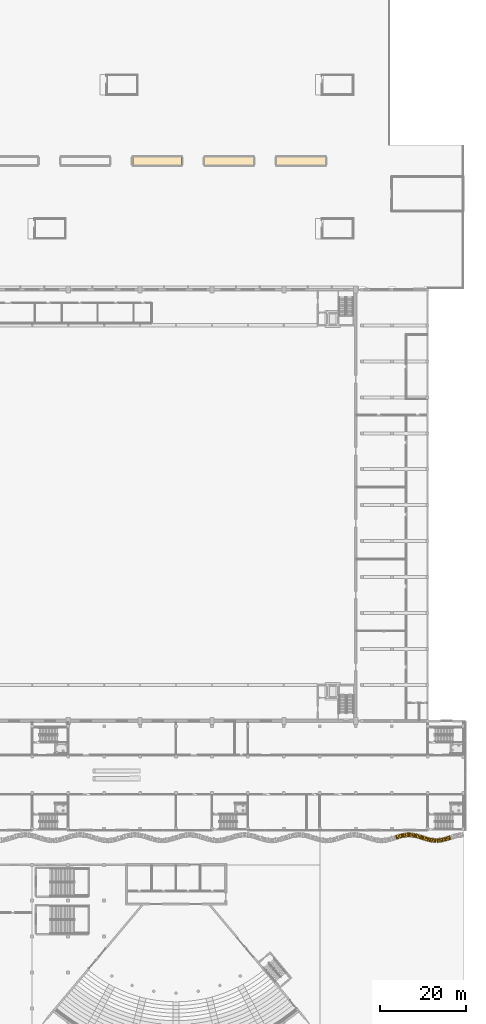
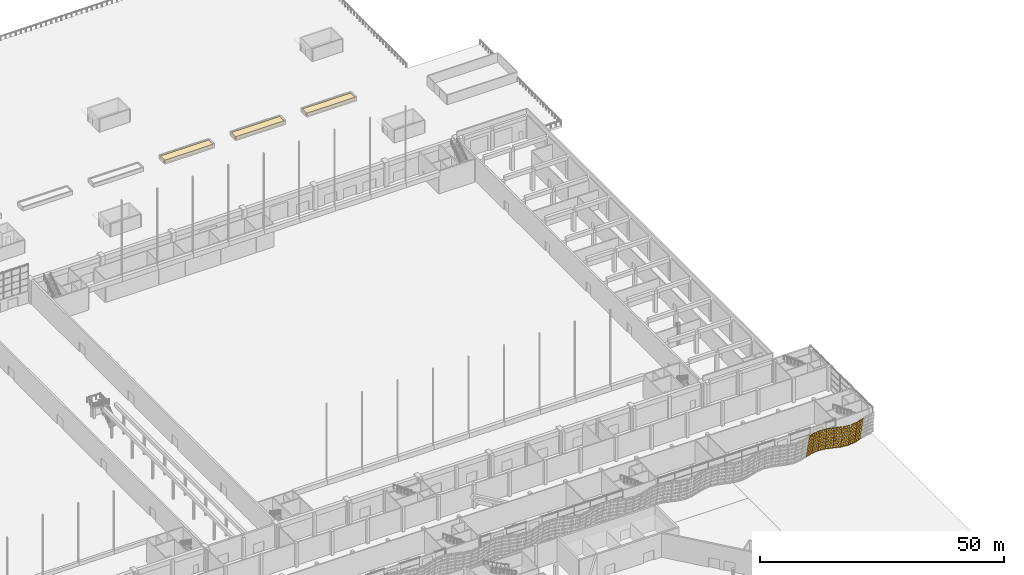
# One storey, part 206 of 210: 11 coverings.
"""IFC4 building model written with IfcOpenShell, lengths in metres."""

from ifc_helpers import new_model, si_unit, direction, frame, origin, origin_2d, place, context, subcontext, project, spatial, polyline, rectangle, outline, extrude, material, layer, layer_set, type_object, element, save


model = new_model("IFC4")

# Units and contexts
model_context = context("Model", 3, precision=1e-05, world=origin(), true_north=direction((0.0, 1.0)))
body_context = subcontext(model_context, "Body", "Model", "MODEL_VIEW")
ifc_project = project(units=[si_unit("LENGTHUNIT", "METRE"), si_unit("AREAUNIT", "SQUARE_METRE"), si_unit("VOLUMEUNIT", "CUBIC_METRE"), si_unit("PLANEANGLEUNIT", "RADIAN"), si_unit("MASSUNIT", "GRAM", prefix="KILO")], contexts=[model_context])

# Site, building, storey
site_placement = place(None, origin())
site = spatial("IfcSite", under=ifc_project, at=site_placement, CompositionType="ELEMENT")
building_placement = place(site_placement, origin())
building = spatial("IfcBuilding", under=site, at=building_placement, Name="Rain Tree Exposition and Congress Centre", CompositionType="ELEMENT")
storey_placement = place(building_placement, origin())
storey = spatial("IfcBuildingStorey", under=building, at=storey_placement, Name="L00", CompositionType="ELEMENT", Elevation=0.0)

# Coverings
ifc_material_1 = material(Name="Planting substrate", Category="soil")
ifc_layer_1 = layer(ifc_material_1, 0.75)
ifc_layer_set_1 = layer_set([ifc_layer_1], Name="Planting substrate")
covering_type_1 = type_object("IfcCoveringType", Name="Planting bed substrate 750", PredefinedType="FLOORING", material=ifc_layer_set_1)
for number, where, z_axis, x_axis, name in (
    (1, (197.199951171875, 231.60009765625, 0.0), (0.0, 0.0, 1.0), (1.0, 0.0, 0.0), "Planting bed"),
    (2, (214.0, 231.60009765625, 0.0), (0.0, 0.0, 1.0), (1.0, 0.0, 0.0), "Planting bed"),
    (3, (230.800048828125, 231.60009765625, 0.0), (0.0, 0.0, 1.0), (1.0, 0.0, 0.0), "Planting bed"),
):
    element("IfcCovering", number, at=place(storey_placement, frame(where, z_axis=z_axis, x_axis=x_axis)), inside=storey, type_object=covering_type_1, Name=name, PredefinedType="FLOORING", context=body_context, shape_type="SweptSolid", body=[
        extrude(rectangle(XDim=11.39990234375, YDim=1.800048828125, at=origin_2d()), origin(), (0.0, 0.0, 1.0), 0.75),
    ])
ifc_material_2 = material(Name="Perforated terracotta", Category="masonry")
ifc_layer_2 = layer(ifc_material_2, 0.080078125)
ifc_layer_set_2 = layer_set([ifc_layer_2], Name="Perforated terracotta")
covering_type_2 = type_object("IfcCoveringType", Name="Terracotta screen 80", PredefinedType="CLADDING", material=ifc_layer_set_2)
covering_1_placement = place(storey_placement, frame((252.800048828125, 73.949951171875, 0.0), z_axis=(-0.293072736571, 0.943327870838, 0.155694891303), x_axis=(-0.954973588716, -0.296690823679, 0.0)))
element("IfcCovering", 4, at=covering_1_placement, inside=storey, type_object=covering_type_2, Name="concourse/screen/L00/159", PredefinedType="CLADDING", context=body_context, shape_type="SweptSolid", body=[
    extrude(outline(polyline([(-0.014892578125, 0.0), (-1.659912109375, 0.0), (-1.659912109375, 5.80859375), (-0.014892578125, 5.80859375), (-0.014892578125, 0.0)]), holes=[polyline([(-0.119140625, 0.249755859375), (-0.119140625, 0.71826171875), (-0.458984375, 0.71826171875), (-0.458984375, 0.249755859375), (-0.119140625, 0.249755859375)]), polyline([(-0.119140625, 1.218017578125), (-0.119140625, 1.686279296875), (-0.458984375, 1.686279296875), (-0.458984375, 1.218017578125), (-0.119140625, 1.218017578125)]), polyline([(-0.119140625, 2.18603515625), (-0.119140625, 2.654541015625), (-0.458984375, 2.654541015625), (-0.458984375, 2.18603515625), (-0.119140625, 2.18603515625)]), polyline([(-0.119140625, 3.154052734375), (-0.119140625, 3.62255859375), (-0.458984375, 3.62255859375), (-0.458984375, 3.154052734375), (-0.119140625, 3.154052734375)]), polyline([(-0.119140625, 4.122314453125), (-0.119140625, 4.5908203125), (-0.458984375, 4.5908203125), (-0.458984375, 4.122314453125), (-0.119140625, 4.122314453125)]), polyline([(-0.119140625, 5.09033203125), (-0.119140625, 5.558837890625), (-0.458984375, 5.558837890625), (-0.458984375, 5.09033203125), (-0.119140625, 5.09033203125)]), polyline([(-0.66748046875, 0.249755859375), (-0.66748046875, 0.71826171875), (-1.00732421875, 0.71826171875), (-1.00732421875, 0.249755859375), (-0.66748046875, 0.249755859375)]), polyline([(-0.66748046875, 1.218017578125), (-0.66748046875, 1.686279296875), (-1.00732421875, 1.686279296875), (-1.00732421875, 1.218017578125), (-0.66748046875, 1.218017578125)]), polyline([(-0.66748046875, 2.18603515625), (-0.66748046875, 2.654541015625), (-1.00732421875, 2.654541015625), (-1.00732421875, 2.18603515625), (-0.66748046875, 2.18603515625)]), polyline([(-0.66748046875, 3.154052734375), (-0.66748046875, 3.62255859375), (-1.00732421875, 3.62255859375), (-1.00732421875, 3.154052734375), (-0.66748046875, 3.154052734375)]), polyline([(-0.66748046875, 4.122314453125), (-0.66748046875, 4.5908203125), (-1.00732421875, 4.5908203125), (-1.00732421875, 4.122314453125), (-0.66748046875, 4.122314453125)]), polyline([(-0.66748046875, 5.09033203125), (-0.66748046875, 5.558837890625), (-1.00732421875, 5.558837890625), (-1.00732421875, 5.09033203125), (-0.66748046875, 5.09033203125)]), polyline([(-1.2158203125, 0.249755859375), (-1.2158203125, 0.71826171875), (-1.5556640625, 0.71826171875), (-1.5556640625, 0.249755859375), (-1.2158203125, 0.249755859375)]), polyline([(-1.2158203125, 1.218017578125), (-1.2158203125, 1.686279296875), (-1.5556640625, 1.686279296875), (-1.5556640625, 1.218017578125), (-1.2158203125, 1.218017578125)]), polyline([(-1.2158203125, 2.18603515625), (-1.2158203125, 2.654541015625), (-1.5556640625, 2.654541015625), (-1.5556640625, 2.18603515625), (-1.2158203125, 2.18603515625)]), polyline([(-1.2158203125, 3.154052734375), (-1.2158203125, 3.62255859375), (-1.5556640625, 3.62255859375), (-1.5556640625, 3.154052734375), (-1.2158203125, 3.154052734375)]), polyline([(-1.2158203125, 4.122314453125), (-1.2158203125, 4.5908203125), (-1.5556640625, 4.5908203125), (-1.5556640625, 4.122314453125), (-1.2158203125, 4.122314453125)]), polyline([(-1.2158203125, 5.09033203125), (-1.2158203125, 5.558837890625), (-1.5556640625, 5.558837890625), (-1.5556640625, 5.09033203125), (-1.2158203125, 5.09033203125)])]), origin(), (0.0, 0.0, 1.0), 0.080078125),
])
covering_2_placement = place(storey_placement, frame((254.39990234375, 74.445068359375, 0.0), z_axis=(-0.125405134464, 0.978771781185, 0.162109076259), x_axis=(-0.991891686382, -0.127086122318, 0.0)))
element("IfcCovering", 5, at=covering_2_placement, inside=storey, type_object=covering_type_2, Name="concourse/screen/L00/160", PredefinedType="CLADDING", context=body_context, shape_type="SweptSolid", body=[
    extrude(outline(polyline([(-0.014892578125, 0.0), (-1.59814453125, 0.0), (-1.59814453125, 5.813720703125), (-0.014892578125, 5.813720703125), (-0.014892578125, 0.0)]), holes=[polyline([(-0.115234375, 0.25), (-0.115234375, 0.718994140625), (-0.4423828125, 0.718994140625), (-0.4423828125, 0.25), (-0.115234375, 0.25)]), polyline([(-0.115234375, 1.218994140625), (-0.115234375, 1.687744140625), (-0.4423828125, 1.687744140625), (-0.4423828125, 1.218994140625), (-0.115234375, 1.218994140625)]), polyline([(-0.115234375, 2.18798828125), (-0.115234375, 2.65673828125), (-0.4423828125, 2.65673828125), (-0.4423828125, 2.18798828125), (-0.115234375, 2.18798828125)]), polyline([(-0.115234375, 3.156982421875), (-0.115234375, 3.625732421875), (-0.4423828125, 3.625732421875), (-0.4423828125, 3.156982421875), (-0.115234375, 3.156982421875)]), polyline([(-0.115234375, 4.125732421875), (-0.115234375, 4.594482421875), (-0.4423828125, 4.594482421875), (-0.4423828125, 4.125732421875), (-0.115234375, 4.125732421875)]), polyline([(-0.115234375, 5.0947265625), (-0.115234375, 5.563720703125), (-0.4423828125, 5.563720703125), (-0.4423828125, 5.0947265625), (-0.115234375, 5.0947265625)]), polyline([(-0.64306640625, 0.25), (-0.64306640625, 0.718994140625), (-0.97021484375, 0.718994140625), (-0.97021484375, 0.25), (-0.64306640625, 0.25)]), polyline([(-0.64306640625, 1.218994140625), (-0.64306640625, 1.687744140625), (-0.97021484375, 1.687744140625), (-0.97021484375, 1.218994140625), (-0.64306640625, 1.218994140625)]), polyline([(-0.64306640625, 2.18798828125), (-0.64306640625, 2.65673828125), (-0.97021484375, 2.65673828125), (-0.97021484375, 2.18798828125), (-0.64306640625, 2.18798828125)]), polyline([(-0.64306640625, 3.156982421875), (-0.64306640625, 3.625732421875), (-0.97021484375, 3.625732421875), (-0.97021484375, 3.156982421875), (-0.64306640625, 3.156982421875)]), polyline([(-0.64306640625, 4.125732421875), (-0.64306640625, 4.594482421875), (-0.97021484375, 4.594482421875), (-0.97021484375, 4.125732421875), (-0.64306640625, 4.125732421875)]), polyline([(-0.64306640625, 5.0947265625), (-0.64306640625, 5.563720703125), (-0.97021484375, 5.563720703125), (-0.97021484375, 5.0947265625), (-0.64306640625, 5.0947265625)]), polyline([(-1.170654296875, 0.25), (-1.170654296875, 0.718994140625), (-1.497802734375, 0.718994140625), (-1.497802734375, 0.25), (-1.170654296875, 0.25)]), polyline([(-1.170654296875, 1.218994140625), (-1.170654296875, 1.687744140625), (-1.497802734375, 1.687744140625), (-1.497802734375, 1.218994140625), (-1.170654296875, 1.218994140625)]), polyline([(-1.170654296875, 2.18798828125), (-1.170654296875, 2.65673828125), (-1.497802734375, 2.65673828125), (-1.497802734375, 2.18798828125), (-1.170654296875, 2.18798828125)]), polyline([(-1.170654296875, 3.156982421875), (-1.170654296875, 3.625732421875), (-1.497802734375, 3.625732421875), (-1.497802734375, 3.156982421875), (-1.170654296875, 3.156982421875)]), polyline([(-1.170654296875, 4.125732421875), (-1.170654296875, 4.594482421875), (-1.497802734375, 4.594482421875), (-1.497802734375, 4.125732421875), (-1.170654296875, 4.125732421875)]), polyline([(-1.170654296875, 5.0947265625), (-1.170654296875, 5.563720703125), (-1.497802734375, 5.563720703125), (-1.497802734375, 5.0947265625), (-1.170654296875, 5.0947265625)])]), origin(), (0.0, 0.0, 1.0), 0.079833984375),
])
covering_3_placement = place(storey_placement, frame((256.0, 74.64990234375, 0.0), z_axis=(0.125030801275, 0.978899688033, 0.161625182136), x_axis=(-0.991941518713, 0.126696580272, 0.0)))
element("IfcCovering", 6, at=covering_3_placement, inside=storey, type_object=covering_type_2, Name="concourse/screen/L00/161", PredefinedType="CLADDING", context=body_context, shape_type="SweptSolid", body=[
    extrude(outline(polyline([(-0.014892578125, 0.0), (-1.59814453125, 0.0), (-1.59814453125, 5.813720703125), (-0.014892578125, 5.813720703125), (-0.014892578125, 0.0)]), holes=[polyline([(-0.115234375, 0.25), (-0.115234375, 0.718994140625), (-0.4423828125, 0.718994140625), (-0.4423828125, 0.25), (-0.115234375, 0.25)]), polyline([(-0.115234375, 1.218994140625), (-0.115234375, 1.687744140625), (-0.4423828125, 1.687744140625), (-0.4423828125, 1.218994140625), (-0.115234375, 1.218994140625)]), polyline([(-0.115234375, 2.18798828125), (-0.115234375, 2.65673828125), (-0.4423828125, 2.65673828125), (-0.4423828125, 2.18798828125), (-0.115234375, 2.18798828125)]), polyline([(-0.115234375, 3.156982421875), (-0.115234375, 3.625732421875), (-0.4423828125, 3.625732421875), (-0.4423828125, 3.156982421875), (-0.115234375, 3.156982421875)]), polyline([(-0.115234375, 4.125732421875), (-0.115234375, 4.594482421875), (-0.4423828125, 4.594482421875), (-0.4423828125, 4.125732421875), (-0.115234375, 4.125732421875)]), polyline([(-0.115234375, 5.0947265625), (-0.115234375, 5.563720703125), (-0.4423828125, 5.563720703125), (-0.4423828125, 5.0947265625), (-0.115234375, 5.0947265625)]), polyline([(-0.64306640625, 0.25), (-0.64306640625, 0.718994140625), (-0.97021484375, 0.718994140625), (-0.97021484375, 0.25), (-0.64306640625, 0.25)]), polyline([(-0.64306640625, 1.218994140625), (-0.64306640625, 1.687744140625), (-0.97021484375, 1.687744140625), (-0.97021484375, 1.218994140625), (-0.64306640625, 1.218994140625)]), polyline([(-0.64306640625, 2.18798828125), (-0.64306640625, 2.65673828125), (-0.97021484375, 2.65673828125), (-0.97021484375, 2.18798828125), (-0.64306640625, 2.18798828125)]), polyline([(-0.64306640625, 3.156982421875), (-0.64306640625, 3.625732421875), (-0.97021484375, 3.625732421875), (-0.97021484375, 3.156982421875), (-0.64306640625, 3.156982421875)]), polyline([(-0.64306640625, 4.125732421875), (-0.64306640625, 4.594482421875), (-0.97021484375, 4.594482421875), (-0.97021484375, 4.125732421875), (-0.64306640625, 4.125732421875)]), polyline([(-0.64306640625, 5.0947265625), (-0.64306640625, 5.563720703125), (-0.97021484375, 5.563720703125), (-0.97021484375, 5.0947265625), (-0.64306640625, 5.0947265625)]), polyline([(-1.170654296875, 0.25), (-1.170654296875, 0.718994140625), (-1.497802734375, 0.718994140625), (-1.497802734375, 0.25), (-1.170654296875, 0.25)]), polyline([(-1.170654296875, 1.218994140625), (-1.170654296875, 1.687744140625), (-1.497802734375, 1.687744140625), (-1.497802734375, 1.218994140625), (-1.170654296875, 1.218994140625)]), polyline([(-1.170654296875, 2.18798828125), (-1.170654296875, 2.65673828125), (-1.497802734375, 2.65673828125), (-1.497802734375, 2.18798828125), (-1.170654296875, 2.18798828125)]), polyline([(-1.170654296875, 3.156982421875), (-1.170654296875, 3.625732421875), (-1.497802734375, 3.625732421875), (-1.497802734375, 3.156982421875), (-1.170654296875, 3.156982421875)]), polyline([(-1.170654296875, 4.125732421875), (-1.170654296875, 4.594482421875), (-1.497802734375, 4.594482421875), (-1.497802734375, 4.125732421875), (-1.170654296875, 4.125732421875)]), polyline([(-1.170654296875, 5.0947265625), (-1.170654296875, 5.563720703125), (-1.497802734375, 5.563720703125), (-1.497802734375, 5.0947265625), (-1.170654296875, 5.0947265625)])]), origin(), (0.0, 0.0, 1.0), 0.080078125),
])
covering_4_placement = place(storey_placement, frame((257.60009765625, 74.445068359375, 0.0), z_axis=(0.290278371326, 0.94416859726, 0.155833651975), x_axis=(-0.955845867297, 0.293868470528, 0.0)))
element("IfcCovering", 7, at=covering_4_placement, inside=storey, type_object=covering_type_2, Name="concourse/screen/L00/162", PredefinedType="CLADDING", context=body_context, shape_type="SweptSolid", body=[
    extrude(outline(polyline([(-0.014892578125, 0.0), (-1.659912109375, 0.0), (-1.659912109375, 5.80859375), (-0.014892578125, 5.80859375), (-0.014892578125, 0.0)]), holes=[polyline([(-0.119140625, 0.249755859375), (-0.119140625, 0.71826171875), (-0.458984375, 0.71826171875), (-0.458984375, 0.249755859375), (-0.119140625, 0.249755859375)]), polyline([(-0.119140625, 1.218017578125), (-0.119140625, 1.686279296875), (-0.458984375, 1.686279296875), (-0.458984375, 1.218017578125), (-0.119140625, 1.218017578125)]), polyline([(-0.119140625, 2.18603515625), (-0.119140625, 2.654541015625), (-0.458984375, 2.654541015625), (-0.458984375, 2.18603515625), (-0.119140625, 2.18603515625)]), polyline([(-0.119140625, 3.154052734375), (-0.119140625, 3.62255859375), (-0.458984375, 3.62255859375), (-0.458984375, 3.154052734375), (-0.119140625, 3.154052734375)]), polyline([(-0.119140625, 4.122314453125), (-0.119140625, 4.5908203125), (-0.458984375, 4.5908203125), (-0.458984375, 4.122314453125), (-0.119140625, 4.122314453125)]), polyline([(-0.119140625, 5.09033203125), (-0.119140625, 5.558837890625), (-0.458984375, 5.558837890625), (-0.458984375, 5.09033203125), (-0.119140625, 5.09033203125)]), polyline([(-0.66748046875, 0.249755859375), (-0.66748046875, 0.71826171875), (-1.00732421875, 0.71826171875), (-1.00732421875, 0.249755859375), (-0.66748046875, 0.249755859375)]), polyline([(-0.66748046875, 1.218017578125), (-0.66748046875, 1.686279296875), (-1.00732421875, 1.686279296875), (-1.00732421875, 1.218017578125), (-0.66748046875, 1.218017578125)]), polyline([(-0.66748046875, 2.18603515625), (-0.66748046875, 2.654541015625), (-1.00732421875, 2.654541015625), (-1.00732421875, 2.18603515625), (-0.66748046875, 2.18603515625)]), polyline([(-0.66748046875, 3.154052734375), (-0.66748046875, 3.62255859375), (-1.00732421875, 3.62255859375), (-1.00732421875, 3.154052734375), (-0.66748046875, 3.154052734375)]), polyline([(-0.66748046875, 4.122314453125), (-0.66748046875, 4.5908203125), (-1.00732421875, 4.5908203125), (-1.00732421875, 4.122314453125), (-0.66748046875, 4.122314453125)]), polyline([(-0.66748046875, 5.09033203125), (-0.66748046875, 5.558837890625), (-1.00732421875, 5.558837890625), (-1.00732421875, 5.09033203125), (-0.66748046875, 5.09033203125)]), polyline([(-1.2158203125, 0.249755859375), (-1.2158203125, 0.71826171875), (-1.5556640625, 0.71826171875), (-1.5556640625, 0.249755859375), (-1.2158203125, 0.249755859375)]), polyline([(-1.2158203125, 1.218017578125), (-1.2158203125, 1.686279296875), (-1.5556640625, 1.686279296875), (-1.5556640625, 1.218017578125), (-1.2158203125, 1.218017578125)]), polyline([(-1.2158203125, 2.18603515625), (-1.2158203125, 2.654541015625), (-1.5556640625, 2.654541015625), (-1.5556640625, 2.18603515625), (-1.2158203125, 2.18603515625)]), polyline([(-1.2158203125, 3.154052734375), (-1.2158203125, 3.62255859375), (-1.5556640625, 3.62255859375), (-1.5556640625, 3.154052734375), (-1.2158203125, 3.154052734375)]), polyline([(-1.2158203125, 4.122314453125), (-1.2158203125, 4.5908203125), (-1.5556640625, 4.5908203125), (-1.5556640625, 4.122314453125), (-1.2158203125, 4.122314453125)]), polyline([(-1.2158203125, 5.09033203125), (-1.2158203125, 5.558837890625), (-1.5556640625, 5.558837890625), (-1.5556640625, 5.09033203125), (-1.2158203125, 5.09033203125)])]), origin(), (0.0, 0.0, 1.0), 0.079833984375),
])
covering_5_placement = place(storey_placement, frame((259.199951171875, 73.949951171875, 0.0), z_axis=(0.293072736571, 0.943327870838, 0.155694891303), x_axis=(-0.954973588716, 0.296690823679, 0.0)))
element("IfcCovering", 8, at=covering_5_placement, inside=storey, type_object=covering_type_2, Name="concourse/screen/L00/163", PredefinedType="CLADDING", context=body_context, shape_type="SweptSolid", body=[
    extrude(outline(polyline([(-0.014892578125, 0.0), (-1.65283203125, 0.0), (-1.65283203125, 5.80859375), (-0.014892578125, 5.80859375), (-0.014892578125, 0.0)]), holes=[polyline([(-0.11865234375, 0.249755859375), (-0.11865234375, 0.71826171875), (-0.457275390625, 0.71826171875), (-0.457275390625, 0.249755859375), (-0.11865234375, 0.249755859375)]), polyline([(-0.11865234375, 1.218017578125), (-0.11865234375, 1.686279296875), (-0.457275390625, 1.686279296875), (-0.457275390625, 1.218017578125), (-0.11865234375, 1.218017578125)]), polyline([(-0.11865234375, 2.18603515625), (-0.11865234375, 2.654541015625), (-0.457275390625, 2.654541015625), (-0.457275390625, 2.18603515625), (-0.11865234375, 2.18603515625)]), polyline([(-0.11865234375, 3.154052734375), (-0.11865234375, 3.62255859375), (-0.457275390625, 3.62255859375), (-0.457275390625, 3.154052734375), (-0.11865234375, 3.154052734375)]), polyline([(-0.11865234375, 4.122314453125), (-0.11865234375, 4.5908203125), (-0.457275390625, 4.5908203125), (-0.457275390625, 4.122314453125), (-0.11865234375, 4.122314453125)]), polyline([(-0.11865234375, 5.09033203125), (-0.11865234375, 5.558837890625), (-0.457275390625, 5.558837890625), (-0.457275390625, 5.09033203125), (-0.11865234375, 5.09033203125)]), polyline([(-0.664794921875, 0.249755859375), (-0.664794921875, 0.71826171875), (-1.003173828125, 0.71826171875), (-1.003173828125, 0.249755859375), (-0.664794921875, 0.249755859375)]), polyline([(-0.664794921875, 1.218017578125), (-0.664794921875, 1.686279296875), (-1.003173828125, 1.686279296875), (-1.003173828125, 1.218017578125), (-0.664794921875, 1.218017578125)]), polyline([(-0.664794921875, 2.18603515625), (-0.664794921875, 2.654541015625), (-1.003173828125, 2.654541015625), (-1.003173828125, 2.18603515625), (-0.664794921875, 2.18603515625)]), polyline([(-0.664794921875, 3.154052734375), (-0.664794921875, 3.62255859375), (-1.003173828125, 3.62255859375), (-1.003173828125, 3.154052734375), (-0.664794921875, 3.154052734375)]), polyline([(-0.664794921875, 4.122314453125), (-0.664794921875, 4.5908203125), (-1.003173828125, 4.5908203125), (-1.003173828125, 4.122314453125), (-0.664794921875, 4.122314453125)]), polyline([(-0.664794921875, 5.09033203125), (-0.664794921875, 5.558837890625), (-1.003173828125, 5.558837890625), (-1.003173828125, 5.09033203125), (-0.664794921875, 5.09033203125)]), polyline([(-1.210693359375, 0.249755859375), (-1.210693359375, 0.71826171875), (-1.54931640625, 0.71826171875), (-1.54931640625, 0.249755859375), (-1.210693359375, 0.249755859375)]), polyline([(-1.210693359375, 1.218017578125), (-1.210693359375, 1.686279296875), (-1.54931640625, 1.686279296875), (-1.54931640625, 1.218017578125), (-1.210693359375, 1.218017578125)]), polyline([(-1.210693359375, 2.18603515625), (-1.210693359375, 2.654541015625), (-1.54931640625, 2.654541015625), (-1.54931640625, 2.18603515625), (-1.210693359375, 2.18603515625)]), polyline([(-1.210693359375, 3.154052734375), (-1.210693359375, 3.62255859375), (-1.54931640625, 3.62255859375), (-1.54931640625, 3.154052734375), (-1.210693359375, 3.154052734375)]), polyline([(-1.210693359375, 4.122314453125), (-1.210693359375, 4.5908203125), (-1.54931640625, 4.5908203125), (-1.54931640625, 4.122314453125), (-1.210693359375, 4.122314453125)]), polyline([(-1.210693359375, 5.09033203125), (-1.210693359375, 5.558837890625), (-1.54931640625, 5.558837890625), (-1.54931640625, 5.09033203125), (-1.210693359375, 5.09033203125)])]), origin(), (0.0, 0.0, 1.0), 0.080078125),
])
covering_6_placement = place(storey_placement, frame((260.800048828125, 73.455078125, 0.0), z_axis=(0.125405134464, 0.978771781185, 0.162109076259), x_axis=(-0.991891686382, 0.127086122318, 0.0)))
element("IfcCovering", 9, at=covering_6_placement, inside=storey, type_object=covering_type_2, Name="concourse/screen/L00/164", PredefinedType="CLADDING", context=body_context, shape_type="SweptSolid", body=[
    extrude(outline(polyline([(-0.02197265625, 0.0), (-1.587890625, 0.0), (-1.587890625, 5.813720703125), (-0.02197265625, 5.813720703125), (-0.02197265625, 0.0)]), holes=[polyline([(-0.12109375, 0.25), (-0.12109375, 0.718994140625), (-0.444580078125, 0.718994140625), (-0.444580078125, 0.25), (-0.12109375, 0.25)]), polyline([(-0.12109375, 1.218994140625), (-0.12109375, 1.687744140625), (-0.444580078125, 1.687744140625), (-0.444580078125, 1.218994140625), (-0.12109375, 1.218994140625)]), polyline([(-0.12109375, 2.18798828125), (-0.12109375, 2.65673828125), (-0.444580078125, 2.65673828125), (-0.444580078125, 2.18798828125), (-0.12109375, 2.18798828125)]), polyline([(-0.12109375, 3.156982421875), (-0.12109375, 3.625732421875), (-0.444580078125, 3.625732421875), (-0.444580078125, 3.156982421875), (-0.12109375, 3.156982421875)]), polyline([(-0.12109375, 4.125732421875), (-0.12109375, 4.594482421875), (-0.444580078125, 4.594482421875), (-0.444580078125, 4.125732421875), (-0.12109375, 4.125732421875)]), polyline([(-0.12109375, 5.0947265625), (-0.12109375, 5.563720703125), (-0.444580078125, 5.563720703125), (-0.444580078125, 5.0947265625), (-0.12109375, 5.0947265625)]), polyline([(-0.64306640625, 0.25), (-0.64306640625, 0.718994140625), (-0.966796875, 0.718994140625), (-0.966796875, 0.25), (-0.64306640625, 0.25)]), polyline([(-0.64306640625, 1.218994140625), (-0.64306640625, 1.687744140625), (-0.966796875, 1.687744140625), (-0.966796875, 1.218994140625), (-0.64306640625, 1.218994140625)]), polyline([(-0.64306640625, 2.18798828125), (-0.64306640625, 2.65673828125), (-0.966796875, 2.65673828125), (-0.966796875, 2.18798828125), (-0.64306640625, 2.18798828125)]), polyline([(-0.64306640625, 3.156982421875), (-0.64306640625, 3.625732421875), (-0.966796875, 3.625732421875), (-0.966796875, 3.156982421875), (-0.64306640625, 3.156982421875)]), polyline([(-0.64306640625, 4.125732421875), (-0.64306640625, 4.594482421875), (-0.966796875, 4.594482421875), (-0.966796875, 4.125732421875), (-0.64306640625, 4.125732421875)]), polyline([(-0.64306640625, 5.0947265625), (-0.64306640625, 5.563720703125), (-0.966796875, 5.563720703125), (-0.966796875, 5.0947265625), (-0.64306640625, 5.0947265625)]), polyline([(-1.1650390625, 0.25), (-1.1650390625, 0.718994140625), (-1.48876953125, 0.718994140625), (-1.48876953125, 0.25), (-1.1650390625, 0.25)]), polyline([(-1.1650390625, 1.218994140625), (-1.1650390625, 1.687744140625), (-1.48876953125, 1.687744140625), (-1.48876953125, 1.218994140625), (-1.1650390625, 1.218994140625)]), polyline([(-1.1650390625, 2.18798828125), (-1.1650390625, 2.65673828125), (-1.48876953125, 2.65673828125), (-1.48876953125, 2.18798828125), (-1.1650390625, 2.18798828125)]), polyline([(-1.1650390625, 3.156982421875), (-1.1650390625, 3.625732421875), (-1.48876953125, 3.625732421875), (-1.48876953125, 3.156982421875), (-1.1650390625, 3.156982421875)]), polyline([(-1.1650390625, 4.125732421875), (-1.1650390625, 4.594482421875), (-1.48876953125, 4.594482421875), (-1.48876953125, 4.125732421875), (-1.1650390625, 4.125732421875)]), polyline([(-1.1650390625, 5.0947265625), (-1.1650390625, 5.563720703125), (-1.48876953125, 5.563720703125), (-1.48876953125, 5.0947265625), (-1.1650390625, 5.0947265625)])]), origin(), (0.0, 0.0, 1.0), 0.079833984375),
])
covering_7_placement = place(storey_placement, frame((262.39990234375, 73.25, 0.0), z_axis=(-0.125030801275, 0.978899688033, 0.161625182136), x_axis=(-0.991941518713, -0.126696580272, 0.0)))
element("IfcCovering", 10, at=covering_7_placement, inside=storey, type_object=covering_type_2, Name="concourse/screen/L00/165", PredefinedType="CLADDING", context=body_context, shape_type="SweptSolid", body=[
    extrude(outline(polyline([(-0.025146484375, 0.0), (-1.59130859375, 0.0), (-1.59130859375, 5.813720703125), (-0.025146484375, 5.813720703125), (-0.025146484375, 0.0)]), holes=[polyline([(-0.12451171875, 0.25), (-0.12451171875, 0.718994140625), (-0.447998046875, 0.718994140625), (-0.447998046875, 0.25), (-0.12451171875, 0.25)]), polyline([(-0.12451171875, 1.218994140625), (-0.12451171875, 1.687744140625), (-0.447998046875, 1.687744140625), (-0.447998046875, 1.218994140625), (-0.12451171875, 1.218994140625)]), polyline([(-0.12451171875, 2.18798828125), (-0.12451171875, 2.65673828125), (-0.447998046875, 2.65673828125), (-0.447998046875, 2.18798828125), (-0.12451171875, 2.18798828125)]), polyline([(-0.12451171875, 3.156982421875), (-0.12451171875, 3.625732421875), (-0.447998046875, 3.625732421875), (-0.447998046875, 3.156982421875), (-0.12451171875, 3.156982421875)]), polyline([(-0.12451171875, 4.125732421875), (-0.12451171875, 4.594482421875), (-0.447998046875, 4.594482421875), (-0.447998046875, 4.125732421875), (-0.12451171875, 4.125732421875)]), polyline([(-0.12451171875, 5.0947265625), (-0.12451171875, 5.563720703125), (-0.447998046875, 5.563720703125), (-0.447998046875, 5.0947265625), (-0.12451171875, 5.0947265625)]), polyline([(-0.646484375, 0.25), (-0.646484375, 0.718994140625), (-0.969970703125, 0.718994140625), (-0.969970703125, 0.25), (-0.646484375, 0.25)]), polyline([(-0.646484375, 1.218994140625), (-0.646484375, 1.687744140625), (-0.969970703125, 1.687744140625), (-0.969970703125, 1.218994140625), (-0.646484375, 1.218994140625)]), polyline([(-0.646484375, 2.18798828125), (-0.646484375, 2.65673828125), (-0.969970703125, 2.65673828125), (-0.969970703125, 2.18798828125), (-0.646484375, 2.18798828125)]), polyline([(-0.646484375, 3.156982421875), (-0.646484375, 3.625732421875), (-0.969970703125, 3.625732421875), (-0.969970703125, 3.156982421875), (-0.646484375, 3.156982421875)]), polyline([(-0.646484375, 4.125732421875), (-0.646484375, 4.594482421875), (-0.969970703125, 4.594482421875), (-0.969970703125, 4.125732421875), (-0.646484375, 4.125732421875)]), polyline([(-0.646484375, 5.0947265625), (-0.646484375, 5.563720703125), (-0.969970703125, 5.563720703125), (-0.969970703125, 5.0947265625), (-0.646484375, 5.0947265625)]), polyline([(-1.16845703125, 0.25), (-1.16845703125, 0.718994140625), (-1.491943359375, 0.718994140625), (-1.491943359375, 0.25), (-1.16845703125, 0.25)]), polyline([(-1.16845703125, 1.218994140625), (-1.16845703125, 1.687744140625), (-1.491943359375, 1.687744140625), (-1.491943359375, 1.218994140625), (-1.16845703125, 1.218994140625)]), polyline([(-1.16845703125, 2.18798828125), (-1.16845703125, 2.65673828125), (-1.491943359375, 2.65673828125), (-1.491943359375, 2.18798828125), (-1.16845703125, 2.18798828125)]), polyline([(-1.16845703125, 3.156982421875), (-1.16845703125, 3.625732421875), (-1.491943359375, 3.625732421875), (-1.491943359375, 3.156982421875), (-1.16845703125, 3.156982421875)]), polyline([(-1.16845703125, 4.125732421875), (-1.16845703125, 4.594482421875), (-1.491943359375, 4.594482421875), (-1.491943359375, 4.125732421875), (-1.16845703125, 4.125732421875)]), polyline([(-1.16845703125, 5.0947265625), (-1.16845703125, 5.563720703125), (-1.491943359375, 5.563720703125), (-1.491943359375, 5.0947265625), (-1.16845703125, 5.0947265625)])]), origin(), (0.0, 0.0, 1.0), 0.080078125),
])
covering_8_placement = place(storey_placement, frame((264.0, 73.455078125, 0.0), z_axis=(-0.293072736571, 0.943327870838, 0.155694891303), x_axis=(-0.954973588716, -0.296690823679, 0.0)))
element("IfcCovering", 11, at=covering_8_placement, inside=storey, type_object=covering_type_2, Name="concourse/screen/L00/166", PredefinedType="CLADDING", context=body_context, shape_type="SweptSolid", body=[
    extrude(outline(polyline([(-0.02197265625, 0.0), (-1.659912109375, 0.0), (-1.659912109375, 5.80859375), (-0.02197265625, 5.80859375), (-0.02197265625, 0.0)]), holes=[polyline([(-0.125732421875, 0.249755859375), (-0.125732421875, 0.71826171875), (-0.464111328125, 0.71826171875), (-0.464111328125, 0.249755859375), (-0.125732421875, 0.249755859375)]), polyline([(-0.125732421875, 1.218017578125), (-0.125732421875, 1.686279296875), (-0.464111328125, 1.686279296875), (-0.464111328125, 1.218017578125), (-0.125732421875, 1.218017578125)]), polyline([(-0.125732421875, 2.18603515625), (-0.125732421875, 2.654541015625), (-0.464111328125, 2.654541015625), (-0.464111328125, 2.18603515625), (-0.125732421875, 2.18603515625)]), polyline([(-0.125732421875, 3.154052734375), (-0.125732421875, 3.62255859375), (-0.464111328125, 3.62255859375), (-0.464111328125, 3.154052734375), (-0.125732421875, 3.154052734375)]), polyline([(-0.125732421875, 4.122314453125), (-0.125732421875, 4.5908203125), (-0.464111328125, 4.5908203125), (-0.464111328125, 4.122314453125), (-0.125732421875, 4.122314453125)]), polyline([(-0.125732421875, 5.09033203125), (-0.125732421875, 5.558837890625), (-0.464111328125, 5.558837890625), (-0.464111328125, 5.09033203125), (-0.125732421875, 5.09033203125)]), polyline([(-0.671630859375, 0.249755859375), (-0.671630859375, 0.71826171875), (-1.010009765625, 0.71826171875), (-1.010009765625, 0.249755859375), (-0.671630859375, 0.249755859375)]), polyline([(-0.671630859375, 1.218017578125), (-0.671630859375, 1.686279296875), (-1.010009765625, 1.686279296875), (-1.010009765625, 1.218017578125), (-0.671630859375, 1.218017578125)]), polyline([(-0.671630859375, 2.18603515625), (-0.671630859375, 2.654541015625), (-1.010009765625, 2.654541015625), (-1.010009765625, 2.18603515625), (-0.671630859375, 2.18603515625)]), polyline([(-0.671630859375, 3.154052734375), (-0.671630859375, 3.62255859375), (-1.010009765625, 3.62255859375), (-1.010009765625, 3.154052734375), (-0.671630859375, 3.154052734375)]), polyline([(-0.671630859375, 4.122314453125), (-0.671630859375, 4.5908203125), (-1.010009765625, 4.5908203125), (-1.010009765625, 4.122314453125), (-0.671630859375, 4.122314453125)]), polyline([(-0.671630859375, 5.09033203125), (-0.671630859375, 5.558837890625), (-1.010009765625, 5.558837890625), (-1.010009765625, 5.09033203125), (-0.671630859375, 5.09033203125)]), polyline([(-1.217529296875, 0.249755859375), (-1.217529296875, 0.71826171875), (-1.55615234375, 0.71826171875), (-1.55615234375, 0.249755859375), (-1.217529296875, 0.249755859375)]), polyline([(-1.217529296875, 1.218017578125), (-1.217529296875, 1.686279296875), (-1.55615234375, 1.686279296875), (-1.55615234375, 1.218017578125), (-1.217529296875, 1.218017578125)]), polyline([(-1.217529296875, 2.18603515625), (-1.217529296875, 2.654541015625), (-1.55615234375, 2.654541015625), (-1.55615234375, 2.18603515625), (-1.217529296875, 2.18603515625)]), polyline([(-1.217529296875, 3.154052734375), (-1.217529296875, 3.62255859375), (-1.55615234375, 3.62255859375), (-1.55615234375, 3.154052734375), (-1.217529296875, 3.154052734375)]), polyline([(-1.217529296875, 4.122314453125), (-1.217529296875, 4.5908203125), (-1.55615234375, 4.5908203125), (-1.55615234375, 4.122314453125), (-1.217529296875, 4.122314453125)]), polyline([(-1.217529296875, 5.09033203125), (-1.217529296875, 5.558837890625), (-1.55615234375, 5.558837890625), (-1.55615234375, 5.09033203125), (-1.217529296875, 5.09033203125)])]), origin(), (0.0, 0.0, 1.0), 0.080078125),
])

save(model, "model.ifc")
